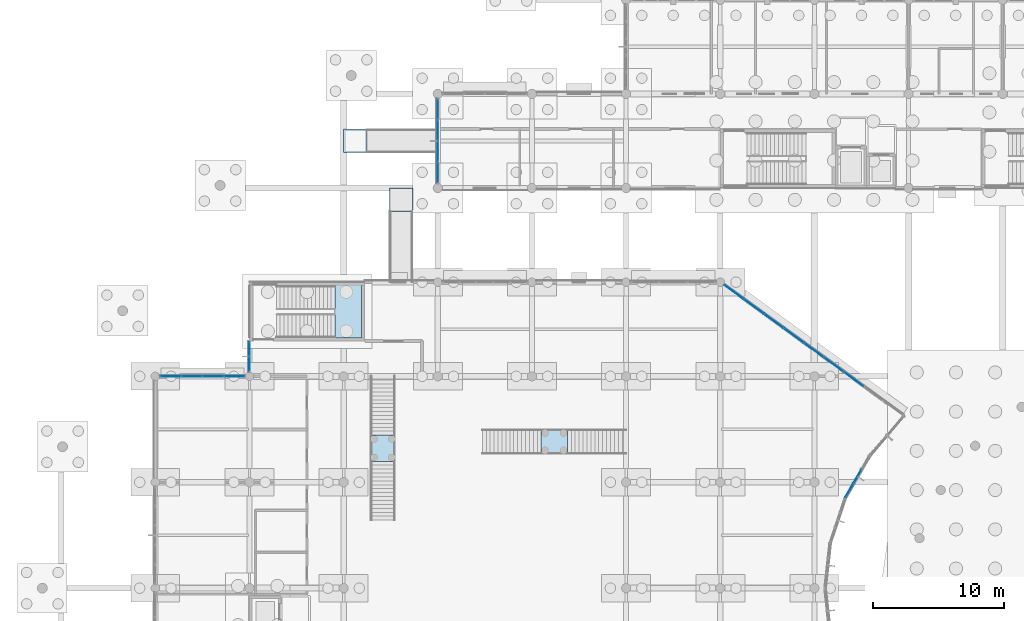
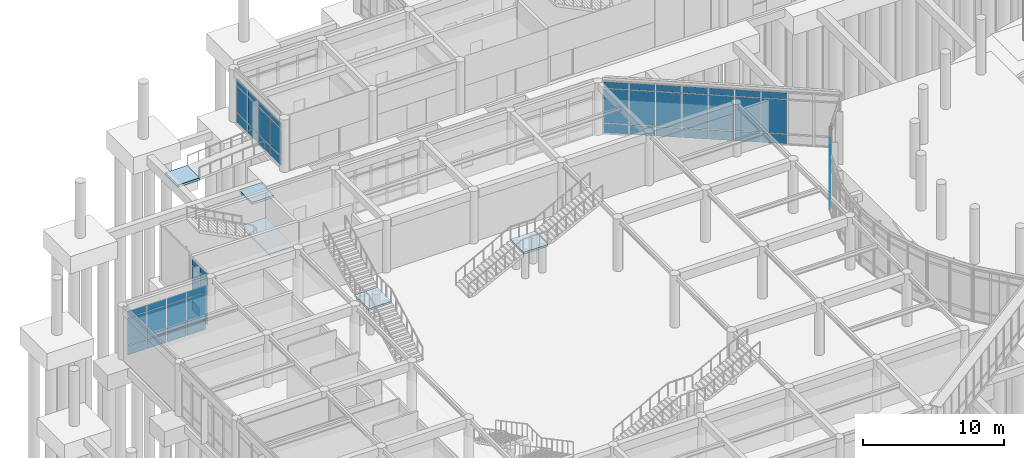
# One storey, part 46 of 103: 57 plates, 5 slabs, 10 elements without a shape of their own.
"""IFC4 building model written with IfcOpenShell, lengths in metres."""

from ifc_helpers import new_model, si_unit, direction, frame, origin, origin_2d, place, context, subcontext, project, spatial, polyline, rectangle, outline, extrude, material, layer, layer_set, type_object, element, aggregate, save


model = new_model("IFC4")

# Units and contexts
model_context = context("Model", 3, precision=1e-05, world=origin(), true_north=direction((0.0, 1.0)))
body_context = subcontext(model_context, "Body", "Model", "MODEL_VIEW")
ifc_project = project(units=[si_unit("LENGTHUNIT", "METRE"), si_unit("AREAUNIT", "SQUARE_METRE"), si_unit("VOLUMEUNIT", "CUBIC_METRE"), si_unit("PLANEANGLEUNIT", "RADIAN"), si_unit("MASSUNIT", "GRAM", prefix="KILO")], contexts=[model_context])

# Site, building, storey
site_placement = place(None, origin())
site = spatial("IfcSite", under=ifc_project, at=site_placement, CompositionType="ELEMENT")
building_placement = place(site_placement, origin())
building = spatial("IfcBuilding", under=site, at=building_placement, Name="Namkhue Oval Health Centre", CompositionType="ELEMENT")
storey_placement = place(building_placement, origin())
storey = spatial("IfcBuildingStorey", under=building, at=storey_placement, Name="L00", CompositionType="ELEMENT", Elevation=0.0)

# Curtain wall, plates
ifc_material_1 = material(Name="Anodised aluminium EN AW-6063 T6", Category="aluminium")
ifc_layer_1 = layer(ifc_material_1, 0.159912109375)
ifc_layer_set_1 = layer_set([ifc_layer_1], Name="Anodised aluminium EN AW-6063 T6")
curtain_wall_type_1 = type_object("IfcCurtainWallType", Name="UNITISED CURTAIN WALL M1500", PredefinedType="NOTDEFINED", material=ifc_layer_set_1)
curtain_wall_1_placement = place(storey_placement, origin())
curtain_wall_1 = element("IfcCurtainWall", 1, at=curtain_wall_1_placement, inside=storey, type_object=curtain_wall_type_1, Name="Volume V1 L00 Unitised Curtain Wall 9", PredefinedType="NOTDEFINED")
ifc_material_2 = material(Name="Thermally broken low-E laminated double glazing", Category="glass")
ifc_layer_2 = layer(ifc_material_2, 0.02587890625)
ifc_layer_set_2 = layer_set([ifc_layer_2], Name="Thermally broken low-E laminated double glazing")
plate_type_1 = type_object("IfcPlateType", Name="CURTAIN WALL GLAZED PANEL 26", PredefinedType="CURTAIN_PANEL", material=ifc_layer_set_2)
plate_1_placement = place(storey_placement, frame((67.46142578125, 66.857421875, 0.06494140625), z_axis=(0.0, 0.0, 1.0), x_axis=(0.501757798896, 0.865008156752, 0.0)))
plate_1 = element("IfcPlate", 2, at=plate_1_placement, type_object=plate_type_1, Name="CW-03 panel 1.1", PredefinedType="CURTAIN_PANEL", context=body_context, shape_type="SweptSolid", body=[
    extrude(rectangle(XDim=1.15869140625, YDim=0.02587890625, at=origin_2d()), origin(), (0.0, 0.0, 1.0), 0.802490234375),
])
plate_2_placement = place(storey_placement, frame((67.46142578125, 66.857421875, 0.9326171875), z_axis=(0.0, 0.0, 1.0), x_axis=(0.501757798896, 0.865008156752, 0.0)))
plate_2 = element("IfcPlate", 3, at=plate_2_placement, type_object=plate_type_1, Name="CW-03 panel 1.2", PredefinedType="CURTAIN_PANEL", context=body_context, shape_type="SweptSolid", body=[
    extrude(rectangle(XDim=1.15869140625, YDim=0.02587890625, at=origin_2d()), origin(), (0.0, 0.0, 1.0), 2.949951171875),
])
plate_3_placement = place(storey_placement, frame((67.46142578125, 66.857421875, 3.947265625), z_axis=(0.0, 0.0, 1.0), x_axis=(0.501757798896, 0.865008156752, 0.0)))
plate_3 = element("IfcPlate", 4, at=plate_3_placement, type_object=plate_type_1, Name="CW-03 panel 1.3", PredefinedType="CURTAIN_PANEL", context=body_context, shape_type="SweptSolid", body=[
    extrude(rectangle(XDim=1.15869140625, YDim=0.02587890625, at=origin_2d()), origin(), (0.0, 0.0, 1.0), 0.552490234375),
])
plate_4_placement = place(storey_placement, frame((68.08349609375, 67.929931640625, 0.06494140625), z_axis=(0.0, 0.0, 1.0), x_axis=(0.501757798896, 0.865008156752, 0.0)))
plate_4 = element("IfcPlate", 5, at=plate_4_placement, type_object=plate_type_1, Name="CW-03 panel 2.1", PredefinedType="CURTAIN_PANEL", context=body_context, shape_type="SweptSolid", body=[
    extrude(rectangle(XDim=1.191162109375, YDim=0.02587890625, at=origin_2d()), origin(), (0.0, 0.0, 1.0), 0.802490234375),
])
plate_5_placement = place(storey_placement, frame((68.08349609375, 67.929931640625, 0.9326171875), z_axis=(0.0, 0.0, 1.0), x_axis=(0.501757798896, 0.865008156752, 0.0)))
plate_5 = element("IfcPlate", 6, at=plate_5_placement, type_object=plate_type_1, Name="CW-03 panel 2.2", PredefinedType="CURTAIN_PANEL", context=body_context, shape_type="SweptSolid", body=[
    extrude(rectangle(XDim=1.191162109375, YDim=0.02587890625, at=origin_2d()), origin(), (0.0, 0.0, 1.0), 2.949951171875),
])
plate_6_placement = place(storey_placement, frame((68.08349609375, 67.929931640625, 3.947265625), z_axis=(0.0, 0.0, 1.0), x_axis=(0.501757798896, 0.865008156752, 0.0)))
plate_6 = element("IfcPlate", 7, at=plate_6_placement, type_object=plate_type_1, Name="CW-03 panel 2.3", PredefinedType="CURTAIN_PANEL", context=body_context, shape_type="SweptSolid", body=[
    extrude(rectangle(XDim=1.191162109375, YDim=0.02587890625, at=origin_2d()), origin(), (0.0, 0.0, 1.0), 0.552490234375),
])
aggregate(curtain_wall_1, [plate_1, plate_2, plate_3, plate_4, plate_5, plate_6])

ifc_layer_3 = layer(ifc_material_1, 0.159912109375)
ifc_layer_set_3 = layer_set([ifc_layer_3], Name="Anodised aluminium EN AW-6063 T6")
curtain_wall_type_2 = type_object("IfcCurtainWallType", Name="UNITISED CURTAIN WALL M1350", PredefinedType="NOTDEFINED", material=ifc_layer_set_3)
curtain_wall_2_placement = place(storey_placement, origin())
curtain_wall_2 = element("IfcCurtainWall", 8, at=curtain_wall_2_placement, inside=storey, type_object=curtain_wall_type_2, Name="Volume V1 L00 Unitised Curtain Wall 14", PredefinedType="NOTDEFINED")
ifc_layer_4 = layer(ifc_material_2, 0.028076171875)
ifc_layer_set_4 = layer_set([ifc_layer_4], Name="Thermally broken low-E laminated double glazing")
plate_type_2 = type_object("IfcPlateType", Name="CURTAIN WALL GLAZED PANEL 28", PredefinedType="CURTAIN_PANEL", material=ifc_layer_set_4)
plate_7_placement = place(storey_placement, frame((21.60009765625, 77.67724609375, 0.074951171875), z_axis=(0.0, 0.0, 1.0), x_axis=(0.0, -1.0, 0.0)))
plate_7 = element("IfcPlate", 9, at=plate_7_placement, type_object=plate_type_2, Name="CW-02 panel 1.1", PredefinedType="CURTAIN_PANEL", context=body_context, shape_type="SweptSolid", body=[
    extrude(rectangle(XDim=1.0615234375, YDim=0.028076171875, at=origin_2d()), origin(), (0.0, 0.0, 1.0), 0.78759765625),
])
plate_8_placement = place(storey_placement, frame((21.60009765625, 77.67724609375, 0.9375), z_axis=(0.0, 0.0, 1.0), x_axis=(0.0, -1.0, 0.0)))
plate_8 = element("IfcPlate", 10, at=plate_8_placement, type_object=plate_type_2, Name="CW-02 panel 1.2", PredefinedType="CURTAIN_PANEL", context=body_context, shape_type="SweptSolid", body=[
    extrude(rectangle(XDim=1.0615234375, YDim=0.028076171875, at=origin_2d()), origin(), (0.0, 0.0, 1.0), 2.93994140625),
])
plate_9_placement = place(storey_placement, frame((21.60009765625, 77.67724609375, 3.952392578125), z_axis=(0.0, 0.0, 1.0), x_axis=(0.0, -1.0, 0.0)))
plate_9 = element("IfcPlate", 11, at=plate_9_placement, type_object=plate_type_2, Name="CW-02 panel 1.3", PredefinedType="CURTAIN_PANEL", context=body_context, shape_type="SweptSolid", body=[
    extrude(rectangle(XDim=1.0615234375, YDim=0.028076171875, at=origin_2d()), origin(), (0.0, 0.0, 1.0), 0.53759765625),
])
plate_10_placement = place(storey_placement, frame((21.60009765625, 76.540771484375, 0.074951171875), z_axis=(0.0, 0.0, 1.0), x_axis=(0.0, -1.0, 0.0)))
plate_10 = element("IfcPlate", 12, at=plate_10_placement, type_object=plate_type_2, Name="CW-02 panel 2.1", PredefinedType="CURTAIN_PANEL", context=body_context, shape_type="SweptSolid", body=[
    extrude(rectangle(XDim=1.0615234375, YDim=0.028076171875, at=origin_2d()), origin(), (0.0, 0.0, 1.0), 0.78759765625),
])
plate_11_placement = place(storey_placement, frame((21.60009765625, 76.540771484375, 0.9375), z_axis=(0.0, 0.0, 1.0), x_axis=(0.0, -1.0, 0.0)))
plate_11 = element("IfcPlate", 13, at=plate_11_placement, type_object=plate_type_2, Name="CW-02 panel 2.2", PredefinedType="CURTAIN_PANEL", context=body_context, shape_type="SweptSolid", body=[
    extrude(rectangle(XDim=1.0615234375, YDim=0.028076171875, at=origin_2d()), origin(), (0.0, 0.0, 1.0), 2.93994140625),
])
plate_12_placement = place(storey_placement, frame((21.60009765625, 76.540771484375, 3.952392578125), z_axis=(0.0, 0.0, 1.0), x_axis=(0.0, -1.0, 0.0)))
plate_12 = element("IfcPlate", 14, at=plate_12_placement, type_object=plate_type_2, Name="CW-02 panel 2.3", PredefinedType="CURTAIN_PANEL", context=body_context, shape_type="SweptSolid", body=[
    extrude(rectangle(XDim=1.0615234375, YDim=0.028076171875, at=origin_2d()), origin(), (0.0, 0.0, 1.0), 0.53759765625),
])
aggregate(curtain_wall_2, [plate_7, plate_8, plate_9, plate_10, plate_11, plate_12])

ifc_layer_5 = layer(ifc_material_1, 0.159912109375)
ifc_layer_set_5 = layer_set([ifc_layer_5], Name="Anodised aluminium EN AW-6063 T6")
curtain_wall_type_3 = type_object("IfcCurtainWallType", Name="UNITISED CURTAIN WALL M1600", PredefinedType="NOTDEFINED", material=ifc_layer_set_5)
curtain_wall_3_placement = place(storey_placement, origin())
curtain_wall_3 = element("IfcCurtainWall", 15, at=curtain_wall_3_placement, inside=storey, type_object=curtain_wall_type_3, Name="Volume V2 L00 Unitised Curtain Wall 46", PredefinedType="NOTDEFINED")
plate_13_placement = place(storey_placement, frame((36.0, 96.01123046875, 0.074951171875), z_axis=(0.0, 0.0, 1.0), x_axis=(0.0, -1.0, 0.0)))
plate_13 = element("IfcPlate", 16, at=plate_13_placement, type_object=plate_type_2, Name="CW-04 panel 1.1", PredefinedType="CURTAIN_PANEL", context=body_context, shape_type="SweptSolid", body=[
    extrude(rectangle(XDim=1.507568359375, YDim=0.028076171875, at=origin_2d()), origin(), (0.0, 0.0, 1.0), 0.78759765625),
])
plate_14_placement = place(storey_placement, frame((36.0, 96.01123046875, 0.9375), z_axis=(0.0, 0.0, 1.0), x_axis=(0.0, -1.0, 0.0)))
plate_14 = element("IfcPlate", 17, at=plate_14_placement, type_object=plate_type_2, Name="CW-04 panel 1.2", PredefinedType="CURTAIN_PANEL", context=body_context, shape_type="SweptSolid", body=[
    extrude(rectangle(XDim=1.507568359375, YDim=0.028076171875, at=origin_2d()), origin(), (0.0, 0.0, 1.0), 2.284912109375),
])
plate_15_placement = place(storey_placement, frame((36.0, 96.01123046875, 3.29736328125), z_axis=(0.0, 0.0, 1.0), x_axis=(0.0, -1.0, 0.0)))
plate_15 = element("IfcPlate", 18, at=plate_15_placement, type_object=plate_type_2, Name="CW-04 panel 1.3", PredefinedType="CURTAIN_PANEL", context=body_context, shape_type="SweptSolid", body=[
    extrude(rectangle(XDim=1.507568359375, YDim=0.028076171875, at=origin_2d()), origin(), (0.0, 0.0, 1.0), 0.53759765625),
])
plate_16_placement = place(storey_placement, frame((36.0, 94.409912109375, 0.074951171875), z_axis=(0.0, 0.0, 1.0), x_axis=(0.0, -1.0, 0.0)))
plate_16 = element("IfcPlate", 19, at=plate_16_placement, type_object=plate_type_2, Name="CW-04 panel 2.1", PredefinedType="CURTAIN_PANEL", context=body_context, shape_type="SweptSolid", body=[
    extrude(rectangle(XDim=1.544921875, YDim=0.028076171875, at=origin_2d()), origin(), (0.0, 0.0, 1.0), 0.78759765625),
])
plate_17_placement = place(storey_placement, frame((36.0, 94.409912109375, 0.9375), z_axis=(0.0, 0.0, 1.0), x_axis=(0.0, -1.0, 0.0)))
plate_17 = element("IfcPlate", 20, at=plate_17_placement, type_object=plate_type_2, Name="CW-04 panel 2.2", PredefinedType="CURTAIN_PANEL", context=body_context, shape_type="SweptSolid", body=[
    extrude(rectangle(XDim=1.544921875, YDim=0.028076171875, at=origin_2d()), origin(), (0.0, 0.0, 1.0), 2.284912109375),
])
plate_18_placement = place(storey_placement, frame((36.0, 94.409912109375, 3.29736328125), z_axis=(0.0, 0.0, 1.0), x_axis=(0.0, -1.0, 0.0)))
plate_18 = element("IfcPlate", 21, at=plate_18_placement, type_object=plate_type_2, Name="CW-04 panel 2.3", PredefinedType="CURTAIN_PANEL", context=body_context, shape_type="SweptSolid", body=[
    extrude(rectangle(XDim=1.544921875, YDim=0.028076171875, at=origin_2d()), origin(), (0.0, 0.0, 1.0), 0.53759765625),
])
plate_19_placement = place(storey_placement, frame((36.0, 92.7900390625, 0.074951171875), z_axis=(0.0, 0.0, 1.0), x_axis=(0.0, -1.0, 0.0)))
plate_19 = element("IfcPlate", 22, at=plate_19_placement, type_object=plate_type_2, Name="CW-04 panel 3.1", PredefinedType="CURTAIN_PANEL", context=body_context, shape_type="SweptSolid", body=[
    extrude(rectangle(XDim=1.544921875, YDim=0.028076171875, at=origin_2d()), origin(), (0.0, 0.0, 1.0), 0.78759765625),
])
plate_20_placement = place(storey_placement, frame((36.0, 92.7900390625, 0.9375), z_axis=(0.0, 0.0, 1.0), x_axis=(0.0, -1.0, 0.0)))
plate_20 = element("IfcPlate", 23, at=plate_20_placement, type_object=plate_type_2, Name="CW-04 panel 3.2", PredefinedType="CURTAIN_PANEL", context=body_context, shape_type="SweptSolid", body=[
    extrude(rectangle(XDim=1.544921875, YDim=0.028076171875, at=origin_2d()), origin(), (0.0, 0.0, 1.0), 2.284912109375),
])
plate_21_placement = place(storey_placement, frame((36.0, 92.7900390625, 3.29736328125), z_axis=(0.0, 0.0, 1.0), x_axis=(0.0, -1.0, 0.0)))
plate_21 = element("IfcPlate", 24, at=plate_21_placement, type_object=plate_type_2, Name="CW-04 panel 3.3", PredefinedType="CURTAIN_PANEL", context=body_context, shape_type="SweptSolid", body=[
    extrude(rectangle(XDim=1.544921875, YDim=0.028076171875, at=origin_2d()), origin(), (0.0, 0.0, 1.0), 0.53759765625),
])
plate_22_placement = place(storey_placement, frame((36.0, 91.188720703125, 0.074951171875), z_axis=(0.0, 0.0, 1.0), x_axis=(0.0, -1.0, 0.0)))
plate_22 = element("IfcPlate", 25, at=plate_22_placement, type_object=plate_type_2, Name="CW-04 panel 4.1", PredefinedType="CURTAIN_PANEL", context=body_context, shape_type="SweptSolid", body=[
    extrude(rectangle(XDim=1.507568359375, YDim=0.028076171875, at=origin_2d()), origin(), (0.0, 0.0, 1.0), 0.78759765625),
])
plate_23_placement = place(storey_placement, frame((36.0, 91.188720703125, 0.9375), z_axis=(0.0, 0.0, 1.0), x_axis=(0.0, -1.0, 0.0)))
plate_23 = element("IfcPlate", 26, at=plate_23_placement, type_object=plate_type_2, Name="CW-04 panel 4.2", PredefinedType="CURTAIN_PANEL", context=body_context, shape_type="SweptSolid", body=[
    extrude(rectangle(XDim=1.507568359375, YDim=0.028076171875, at=origin_2d()), origin(), (0.0, 0.0, 1.0), 2.284912109375),
])
plate_24_placement = place(storey_placement, frame((36.0, 91.188720703125, 3.29736328125), z_axis=(0.0, 0.0, 1.0), x_axis=(0.0, -1.0, 0.0)))
plate_24 = element("IfcPlate", 27, at=plate_24_placement, type_object=plate_type_2, Name="CW-04 panel 4.3", PredefinedType="CURTAIN_PANEL", context=body_context, shape_type="SweptSolid", body=[
    extrude(rectangle(XDim=1.507568359375, YDim=0.028076171875, at=origin_2d()), origin(), (0.0, 0.0, 1.0), 0.53759765625),
])
aggregate(curtain_wall_3, [plate_13, plate_14, plate_15, plate_16, plate_17, plate_18, plate_19, plate_20, plate_21, plate_22, plate_23, plate_24])

ifc_layer_6 = layer(ifc_material_1, 0.159912109375)
ifc_layer_set_6 = layer_set([ifc_layer_6], Name="Anodised aluminium EN AW-6063 T6")
curtain_wall_type_4 = type_object("IfcCurtainWallType", Name="UNITISED CURTAIN WALL M1800", PredefinedType="NOTDEFINED", material=ifc_layer_set_6)
curtain_wall_4_placement = place(storey_placement, origin())
curtain_wall_4 = element("IfcCurtainWall", 28, at=curtain_wall_4_placement, inside=storey, type_object=curtain_wall_type_4, Name="Volume V1 L00 Unitised Curtain Wall 11", PredefinedType="NOTDEFINED")
ifc_material_3 = material(Name="Insulated anodised aluminium spandrel panel", Category="aluminium")
ifc_layer_7 = layer(ifc_material_3, 0.031982421875)
ifc_layer_set_7 = layer_set([ifc_layer_7], Name="Insulated anodised aluminium spandrel panel")
plate_type_3 = type_object("IfcPlateType", Name="CURTAIN WALL SPANDREL PANEL 32", PredefinedType="CURTAIN_PANEL", material=ifc_layer_set_7)
plate_25_placement = place(storey_placement, frame((67.79931640625, 75.37646484375, 0.06494140625), z_axis=(0.0, 0.0, 1.0), x_axis=(-0.808513999682, 0.588476942894, 0.0)))
plate_25 = element("IfcPlate", 29, at=plate_25_placement, type_object=plate_type_3, Name="CW-05 panel 3.1", PredefinedType="CURTAIN_PANEL", context=body_context, shape_type="SweptSolid", body=[
    extrude(rectangle(XDim=1.82421875, YDim=0.031982421875, at=origin_2d()), origin(), (0.0, 0.0, 1.0), 0.802490234375),
])
plate_26_placement = place(storey_placement, frame((67.79931640625, 75.37646484375, 0.9326171875), z_axis=(0.0, 0.0, 1.0), x_axis=(-0.808513999682, 0.588476942894, 0.0)))
plate_26 = element("IfcPlate", 30, at=plate_26_placement, type_object=plate_type_3, Name="CW-05 panel 3.2", PredefinedType="CURTAIN_PANEL", context=body_context, shape_type="SweptSolid", body=[
    extrude(rectangle(XDim=1.82421875, YDim=0.031982421875, at=origin_2d()), origin(), (0.0, 0.0, 1.0), 2.949951171875),
])
plate_27_placement = place(storey_placement, frame((67.79931640625, 75.37646484375, 3.947265625), z_axis=(0.0, 0.0, 1.0), x_axis=(-0.808513999682, 0.588476942894, 0.0)))
plate_27 = element("IfcPlate", 31, at=plate_27_placement, type_object=plate_type_3, Name="CW-05 panel 3.3", PredefinedType="CURTAIN_PANEL", context=body_context, shape_type="SweptSolid", body=[
    extrude(rectangle(XDim=1.82421875, YDim=0.031982421875, at=origin_2d()), origin(), (0.0, 0.0, 1.0), 0.552490234375),
])
plate_28_placement = place(storey_placement, frame((66.27197265625, 76.48828125, 0.06494140625), z_axis=(0.0, 0.0, 1.0), x_axis=(-0.808513999682, 0.588476942894, 0.0)))
plate_28 = element("IfcPlate", 32, at=plate_28_placement, type_object=plate_type_3, Name="CW-05 panel 4.1", PredefinedType="CURTAIN_PANEL", context=body_context, shape_type="SweptSolid", body=[
    extrude(rectangle(XDim=1.82421875, YDim=0.031982421875, at=origin_2d()), origin(), (0.0, 0.0, 1.0), 0.802490234375),
])
plate_29_placement = place(storey_placement, frame((66.27197265625, 76.48828125, 0.9326171875), z_axis=(0.0, 0.0, 1.0), x_axis=(-0.808513999682, 0.588476942894, 0.0)))
plate_29 = element("IfcPlate", 33, at=plate_29_placement, type_object=plate_type_3, Name="CW-05 panel 4.2", PredefinedType="CURTAIN_PANEL", context=body_context, shape_type="SweptSolid", body=[
    extrude(rectangle(XDim=1.82421875, YDim=0.031982421875, at=origin_2d()), origin(), (0.0, 0.0, 1.0), 2.949951171875),
])
plate_30_placement = place(storey_placement, frame((66.27197265625, 76.48828125, 3.947265625), z_axis=(0.0, 0.0, 1.0), x_axis=(-0.808513999682, 0.588476942894, 0.0)))
plate_30 = element("IfcPlate", 34, at=plate_30_placement, type_object=plate_type_3, Name="CW-05 panel 4.3", PredefinedType="CURTAIN_PANEL", context=body_context, shape_type="SweptSolid", body=[
    extrude(rectangle(XDim=1.82421875, YDim=0.031982421875, at=origin_2d()), origin(), (0.0, 0.0, 1.0), 0.552490234375),
])
plate_31_placement = place(storey_placement, frame((64.744384765625, 77.599853515625, 0.06494140625), z_axis=(0.0, 0.0, 1.0), x_axis=(-0.808513999682, 0.588476942894, 0.0)))
plate_31 = element("IfcPlate", 35, at=plate_31_placement, type_object=plate_type_3, Name="CW-05 panel 5.1", PredefinedType="CURTAIN_PANEL", context=body_context, shape_type="SweptSolid", body=[
    extrude(rectangle(XDim=1.82421875, YDim=0.031982421875, at=origin_2d()), origin(), (0.0, 0.0, 1.0), 0.802490234375),
])
plate_32_placement = place(storey_placement, frame((64.744384765625, 77.599853515625, 0.9326171875), z_axis=(0.0, 0.0, 1.0), x_axis=(-0.808513999682, 0.588476942894, 0.0)))
plate_32 = element("IfcPlate", 36, at=plate_32_placement, type_object=plate_type_3, Name="CW-05 panel 5.2", PredefinedType="CURTAIN_PANEL", context=body_context, shape_type="SweptSolid", body=[
    extrude(rectangle(XDim=1.82421875, YDim=0.031982421875, at=origin_2d()), origin(), (0.0, 0.0, 1.0), 2.949951171875),
])
plate_33_placement = place(storey_placement, frame((64.744384765625, 77.599853515625, 3.947265625), z_axis=(0.0, 0.0, 1.0), x_axis=(-0.808513999682, 0.588476942894, 0.0)))
plate_33 = element("IfcPlate", 37, at=plate_33_placement, type_object=plate_type_3, Name="CW-05 panel 5.3", PredefinedType="CURTAIN_PANEL", context=body_context, shape_type="SweptSolid", body=[
    extrude(rectangle(XDim=1.82421875, YDim=0.031982421875, at=origin_2d()), origin(), (0.0, 0.0, 1.0), 0.552490234375),
])
plate_34_placement = place(storey_placement, frame((63.217041015625, 78.711669921875, 0.06494140625), z_axis=(0.0, 0.0, 1.0), x_axis=(-0.808513999682, 0.588476942894, 0.0)))
plate_34 = element("IfcPlate", 38, at=plate_34_placement, type_object=plate_type_3, Name="CW-05 panel 6.1", PredefinedType="CURTAIN_PANEL", context=body_context, shape_type="SweptSolid", body=[
    extrude(rectangle(XDim=1.82421875, YDim=0.031982421875, at=origin_2d()), origin(), (0.0, 0.0, 1.0), 0.802490234375),
])
plate_35_placement = place(storey_placement, frame((63.217041015625, 78.711669921875, 0.9326171875), z_axis=(0.0, 0.0, 1.0), x_axis=(-0.808513999682, 0.588476942894, 0.0)))
plate_35 = element("IfcPlate", 39, at=plate_35_placement, type_object=plate_type_3, Name="CW-05 panel 6.2", PredefinedType="CURTAIN_PANEL", context=body_context, shape_type="SweptSolid", body=[
    extrude(rectangle(XDim=1.82421875, YDim=0.031982421875, at=origin_2d()), origin(), (0.0, 0.0, 1.0), 2.949951171875),
])
plate_36_placement = place(storey_placement, frame((63.217041015625, 78.711669921875, 3.947265625), z_axis=(0.0, 0.0, 1.0), x_axis=(-0.808513999682, 0.588476942894, 0.0)))
plate_36 = element("IfcPlate", 40, at=plate_36_placement, type_object=plate_type_3, Name="CW-05 panel 6.3", PredefinedType="CURTAIN_PANEL", context=body_context, shape_type="SweptSolid", body=[
    extrude(rectangle(XDim=1.82421875, YDim=0.031982421875, at=origin_2d()), origin(), (0.0, 0.0, 1.0), 0.552490234375),
])
plate_37_placement = place(storey_placement, frame((61.689453125, 79.823486328125, 0.06494140625), z_axis=(0.0, 0.0, 1.0), x_axis=(-0.808513999682, 0.588476942894, 0.0)))
plate_37 = element("IfcPlate", 41, at=plate_37_placement, type_object=plate_type_3, Name="CW-05 panel 7.1", PredefinedType="CURTAIN_PANEL", context=body_context, shape_type="SweptSolid", body=[
    extrude(rectangle(XDim=1.82421875, YDim=0.031982421875, at=origin_2d()), origin(), (0.0, 0.0, 1.0), 0.802490234375),
])
plate_38_placement = place(storey_placement, frame((61.689453125, 79.823486328125, 0.9326171875), z_axis=(0.0, 0.0, 1.0), x_axis=(-0.808513999682, 0.588476942894, 0.0)))
plate_38 = element("IfcPlate", 42, at=plate_38_placement, type_object=plate_type_3, Name="CW-05 panel 7.2", PredefinedType="CURTAIN_PANEL", context=body_context, shape_type="SweptSolid", body=[
    extrude(rectangle(XDim=1.82421875, YDim=0.031982421875, at=origin_2d()), origin(), (0.0, 0.0, 1.0), 2.949951171875),
])
plate_39_placement = place(storey_placement, frame((61.689453125, 79.823486328125, 3.947265625), z_axis=(0.0, 0.0, 1.0), x_axis=(-0.808513999682, 0.588476942894, 0.0)))
plate_39 = element("IfcPlate", 43, at=plate_39_placement, type_object=plate_type_3, Name="CW-05 panel 7.3", PredefinedType="CURTAIN_PANEL", context=body_context, shape_type="SweptSolid", body=[
    extrude(rectangle(XDim=1.82421875, YDim=0.031982421875, at=origin_2d()), origin(), (0.0, 0.0, 1.0), 0.552490234375),
])
plate_40_placement = place(storey_placement, frame((60.162109375, 80.935302734375, 0.06494140625), z_axis=(0.0, 0.0, 1.0), x_axis=(-0.808513999682, 0.588476942894, 0.0)))
plate_40 = element("IfcPlate", 44, at=plate_40_placement, type_object=plate_type_3, Name="CW-05 panel 8.1", PredefinedType="CURTAIN_PANEL", context=body_context, shape_type="SweptSolid", body=[
    extrude(rectangle(XDim=1.82421875, YDim=0.031982421875, at=origin_2d()), origin(), (0.0, 0.0, 1.0), 0.802490234375),
])
plate_41_placement = place(storey_placement, frame((60.162109375, 80.935302734375, 0.9326171875), z_axis=(0.0, 0.0, 1.0), x_axis=(-0.808513999682, 0.588476942894, 0.0)))
plate_41 = element("IfcPlate", 45, at=plate_41_placement, type_object=plate_type_3, Name="CW-05 panel 8.2", PredefinedType="CURTAIN_PANEL", context=body_context, shape_type="SweptSolid", body=[
    extrude(rectangle(XDim=1.82421875, YDim=0.031982421875, at=origin_2d()), origin(), (0.0, 0.0, 1.0), 2.949951171875),
])
plate_42_placement = place(storey_placement, frame((60.162109375, 80.935302734375, 3.947265625), z_axis=(0.0, 0.0, 1.0), x_axis=(-0.808513999682, 0.588476942894, 0.0)))
plate_42 = element("IfcPlate", 46, at=plate_42_placement, type_object=plate_type_3, Name="CW-05 panel 8.3", PredefinedType="CURTAIN_PANEL", context=body_context, shape_type="SweptSolid", body=[
    extrude(rectangle(XDim=1.82421875, YDim=0.031982421875, at=origin_2d()), origin(), (0.0, 0.0, 1.0), 0.552490234375),
])
plate_43_placement = place(storey_placement, frame((58.647705078125, 82.037353515625, 0.06494140625), z_axis=(0.0, 0.0, 1.0), x_axis=(-0.808513999682, 0.588476942894, 0.0)))
plate_43 = element("IfcPlate", 47, at=plate_43_placement, type_object=plate_type_3, Name="CW-05 panel 9.1", PredefinedType="CURTAIN_PANEL", context=body_context, shape_type="SweptSolid", body=[
    extrude(rectangle(XDim=1.791748046875, YDim=0.031982421875, at=origin_2d()), origin(), (0.0, 0.0, 1.0), 0.802490234375),
])
plate_44_placement = place(storey_placement, frame((58.647705078125, 82.037353515625, 0.9326171875), z_axis=(0.0, 0.0, 1.0), x_axis=(-0.808513999682, 0.588476942894, 0.0)))
plate_44 = element("IfcPlate", 48, at=plate_44_placement, type_object=plate_type_3, Name="CW-05 panel 9.2", PredefinedType="CURTAIN_PANEL", context=body_context, shape_type="SweptSolid", body=[
    extrude(rectangle(XDim=1.791748046875, YDim=0.031982421875, at=origin_2d()), origin(), (0.0, 0.0, 1.0), 2.949951171875),
])
plate_45_placement = place(storey_placement, frame((58.647705078125, 82.037353515625, 3.947265625), z_axis=(0.0, 0.0, 1.0), x_axis=(-0.808513999682, 0.588476942894, 0.0)))
plate_45 = element("IfcPlate", 49, at=plate_45_placement, type_object=plate_type_3, Name="CW-05 panel 9.3", PredefinedType="CURTAIN_PANEL", context=body_context, shape_type="SweptSolid", body=[
    extrude(rectangle(XDim=1.791748046875, YDim=0.031982421875, at=origin_2d()), origin(), (0.0, 0.0, 1.0), 0.552490234375),
])
aggregate(curtain_wall_4, [plate_25, plate_26, plate_27, plate_28, plate_29, plate_30, plate_31, plate_32, plate_33, plate_34, plate_35, plate_36, plate_37, plate_38, plate_39, plate_40, plate_41, plate_42, plate_43, plate_44, plate_45])

curtain_wall_5_placement = place(storey_placement, origin())
curtain_wall_5 = element("IfcCurtainWall", 50, at=curtain_wall_5_placement, inside=storey, type_object=curtain_wall_type_1, Name="Volume V1 L00 Unitised Curtain Wall 15", PredefinedType="NOTDEFINED")
plate_46_placement = place(storey_placement, frame((20.4326171875, 75.60009765625, 0.06494140625), z_axis=(0.0, 0.0, 1.0), x_axis=(-1.0, 0.0, 0.0)))
plate_46 = element("IfcPlate", 51, at=plate_46_placement, type_object=plate_type_3, Name="CW-03 panel 1.1", PredefinedType="CURTAIN_PANEL", context=body_context, shape_type="SweptSolid", body=[
    extrude(rectangle(XDim=1.534912109375, YDim=0.031982421875, at=origin_2d()), origin(), (0.0, 0.0, 1.0), 0.802490234375),
])
plate_47_placement = place(storey_placement, frame((20.4326171875, 75.60009765625, 0.9326171875), z_axis=(0.0, 0.0, 1.0), x_axis=(-1.0, 0.0, 0.0)))
plate_47 = element("IfcPlate", 52, at=plate_47_placement, type_object=plate_type_3, Name="CW-03 panel 1.2", PredefinedType="CURTAIN_PANEL", context=body_context, shape_type="SweptSolid", body=[
    extrude(rectangle(XDim=1.534912109375, YDim=0.031982421875, at=origin_2d()), origin(), (0.0, 0.0, 1.0), 2.324951171875),
])
plate_48_placement = place(storey_placement, frame((20.4326171875, 75.60009765625, 3.322265625), z_axis=(0.0, 0.0, 1.0), x_axis=(-1.0, 0.0, 0.0)))
plate_48 = element("IfcPlate", 53, at=plate_48_placement, type_object=plate_type_3, Name="CW-03 panel 1.3", PredefinedType="CURTAIN_PANEL", context=body_context, shape_type="SweptSolid", body=[
    extrude(rectangle(XDim=1.534912109375, YDim=0.031982421875, at=origin_2d()), origin(), (0.0, 0.0, 1.0), 0.552490234375),
])
plate_49_placement = place(storey_placement, frame((18.816162109375, 75.60009765625, 0.06494140625), z_axis=(0.0, 0.0, 1.0), x_axis=(-1.0, 0.0, 0.0)))
plate_49 = element("IfcPlate", 54, at=plate_49_placement, type_object=plate_type_3, Name="CW-03 panel 2.1", PredefinedType="CURTAIN_PANEL", context=body_context, shape_type="SweptSolid", body=[
    extrude(rectangle(XDim=1.5673828125, YDim=0.031982421875, at=origin_2d()), origin(), (0.0, 0.0, 1.0), 0.802490234375),
])
plate_50_placement = place(storey_placement, frame((18.816162109375, 75.60009765625, 0.9326171875), z_axis=(0.0, 0.0, 1.0), x_axis=(-1.0, 0.0, 0.0)))
plate_50 = element("IfcPlate", 55, at=plate_50_placement, type_object=plate_type_3, Name="CW-03 panel 2.2", PredefinedType="CURTAIN_PANEL", context=body_context, shape_type="SweptSolid", body=[
    extrude(rectangle(XDim=1.5673828125, YDim=0.031982421875, at=origin_2d()), origin(), (0.0, 0.0, 1.0), 2.324951171875),
])
plate_51_placement = place(storey_placement, frame((18.816162109375, 75.60009765625, 3.322265625), z_axis=(0.0, 0.0, 1.0), x_axis=(-1.0, 0.0, 0.0)))
plate_51 = element("IfcPlate", 56, at=plate_51_placement, type_object=plate_type_3, Name="CW-03 panel 2.3", PredefinedType="CURTAIN_PANEL", context=body_context, shape_type="SweptSolid", body=[
    extrude(rectangle(XDim=1.5673828125, YDim=0.031982421875, at=origin_2d()), origin(), (0.0, 0.0, 1.0), 0.552490234375),
])
plate_52_placement = place(storey_placement, frame((17.183837890625, 75.60009765625, 0.06494140625), z_axis=(0.0, 0.0, 1.0), x_axis=(-1.0, 0.0, 0.0)))
plate_52 = element("IfcPlate", 57, at=plate_52_placement, type_object=plate_type_3, Name="CW-03 panel 3.1", PredefinedType="CURTAIN_PANEL", context=body_context, shape_type="SweptSolid", body=[
    extrude(rectangle(XDim=1.5673828125, YDim=0.031982421875, at=origin_2d()), origin(), (0.0, 0.0, 1.0), 0.802490234375),
])
plate_53_placement = place(storey_placement, frame((17.183837890625, 75.60009765625, 0.9326171875), z_axis=(0.0, 0.0, 1.0), x_axis=(-1.0, 0.0, 0.0)))
plate_53 = element("IfcPlate", 58, at=plate_53_placement, type_object=plate_type_3, Name="CW-03 panel 3.2", PredefinedType="CURTAIN_PANEL", context=body_context, shape_type="SweptSolid", body=[
    extrude(rectangle(XDim=1.5673828125, YDim=0.031982421875, at=origin_2d()), origin(), (0.0, 0.0, 1.0), 2.324951171875),
])
plate_54_placement = place(storey_placement, frame((17.183837890625, 75.60009765625, 3.322265625), z_axis=(0.0, 0.0, 1.0), x_axis=(-1.0, 0.0, 0.0)))
plate_54 = element("IfcPlate", 59, at=plate_54_placement, type_object=plate_type_3, Name="CW-03 panel 3.3", PredefinedType="CURTAIN_PANEL", context=body_context, shape_type="SweptSolid", body=[
    extrude(rectangle(XDim=1.5673828125, YDim=0.031982421875, at=origin_2d()), origin(), (0.0, 0.0, 1.0), 0.552490234375),
])
plate_55_placement = place(storey_placement, frame((15.5673828125, 75.60009765625, 0.06494140625), z_axis=(0.0, 0.0, 1.0), x_axis=(-1.0, 0.0, 0.0)))
plate_55 = element("IfcPlate", 60, at=plate_55_placement, type_object=plate_type_3, Name="CW-03 panel 4.1", PredefinedType="CURTAIN_PANEL", context=body_context, shape_type="SweptSolid", body=[
    extrude(rectangle(XDim=1.534912109375, YDim=0.031982421875, at=origin_2d()), origin(), (0.0, 0.0, 1.0), 0.802490234375),
])
plate_56_placement = place(storey_placement, frame((15.5673828125, 75.60009765625, 0.9326171875), z_axis=(0.0, 0.0, 1.0), x_axis=(-1.0, 0.0, 0.0)))
plate_56 = element("IfcPlate", 61, at=plate_56_placement, type_object=plate_type_3, Name="CW-03 panel 4.2", PredefinedType="CURTAIN_PANEL", context=body_context, shape_type="SweptSolid", body=[
    extrude(rectangle(XDim=1.534912109375, YDim=0.031982421875, at=origin_2d()), origin(), (0.0, 0.0, 1.0), 2.324951171875),
])
plate_57_placement = place(storey_placement, frame((15.5673828125, 75.60009765625, 3.322265625), z_axis=(0.0, 0.0, 1.0), x_axis=(-1.0, 0.0, 0.0)))
plate_57 = element("IfcPlate", 62, at=plate_57_placement, type_object=plate_type_3, Name="CW-03 panel 4.3", PredefinedType="CURTAIN_PANEL", context=body_context, shape_type="SweptSolid", body=[
    extrude(rectangle(XDim=1.534912109375, YDim=0.031982421875, at=origin_2d()), origin(), (0.0, 0.0, 1.0), 0.552490234375),
])
aggregate(curtain_wall_5, [plate_46, plate_47, plate_48, plate_49, plate_50, plate_51, plate_52, plate_53, plate_54, plate_55, plate_56, plate_57])

# Ramp, slab
ifc_material_4 = material(Name="Reinforced concrete C30/37 (TCVN B35)", Category="concrete")
ramp_type = type_object("IfcRampType", Name="ACCESSIBLE ENTRANCE RAMP", PredefinedType="STRAIGHT_RUN_RAMP", material=ifc_material_4)
ramp_1_placement = place(storey_placement, origin())
ramp_1 = element("IfcRamp", 63, at=ramp_1_placement, inside=storey, type_object=ramp_type, Name="Health Cafe North Forecourt Ramp", PredefinedType="STRAIGHT_RUN_RAMP")
ifc_layer_8 = layer(ifc_material_4, 0.199951171875)
ifc_layer_set_8 = layer_set([ifc_layer_8], Name="Reinforced concrete C30/37 (TCVN B35)")
slab_type_1 = type_object("IfcSlabType", Name="RAMP LANDING SLAB 200", PredefinedType="LANDING", material=ifc_layer_set_8)
slab_1_placement = place(storey_placement, frame((0.0, 0.0, -0.64990234375)))
slab_1 = element("IfcSlab", 64, at=slab_1_placement, type_object=slab_type_1, Name="Health Cafe North Forecourt Ramp Bottom Landing", PredefinedType="LANDING", context=body_context, shape_type="SweptSolid", body=[
    extrude(outline(polyline([(32.300048828125, 90.0), (32.300048828125, 88.199951171875), (34.10009765625, 88.199951171875), (34.10009765625, 90.0), (32.300048828125, 90.0)])), origin(), (0.0, 0.0, 1.0), 0.199951171875),
])
aggregate(ramp_1, [slab_1])

ramp_2_placement = place(storey_placement, origin())
ramp_2 = element("IfcRamp", 65, at=ramp_2_placement, inside=storey, type_object=ramp_type, Name="North GP Clinic West Arrival Ramp", PredefinedType="STRAIGHT_RUN_RAMP")
slab_2_placement = place(storey_placement, frame((0.0, 0.0, -0.64990234375)))
slab_2 = element("IfcSlab", 66, at=slab_2_placement, type_object=slab_type_1, Name="North GP Clinic West Arrival Ramp Bottom Landing", PredefinedType="LANDING", context=body_context, shape_type="SweptSolid", body=[
    extrude(outline(polyline([(28.800048828125, 92.699951171875), (30.60009765625, 92.699951171875), (30.60009765625, 94.5), (28.800048828125, 94.5), (28.800048828125, 92.699951171875)])), origin(), (0.0, 0.0, 1.0), 0.199951171875),
])
aggregate(ramp_2, [slab_2])

# Stair, slab
stair_type_1 = type_object("IfcStairType", Name="DOGLEG EXIT STAIR H4800", PredefinedType="HALF_TURN_STAIR", material=ifc_material_4)
stair_1_placement = place(storey_placement, origin())
stair_1 = element("IfcStair", 67, at=stair_1_placement, inside=storey, type_object=stair_type_1, Name="Protected Exit Stair ST-02 L00", PredefinedType="HALF_TURN_STAIR")
ifc_layer_9 = layer(ifc_material_4, 0.179931640625)
ifc_layer_set_9 = layer_set([ifc_layer_9], Name="Reinforced concrete C30/37 (TCVN B35)")
slab_type_2 = type_object("IfcSlabType", Name="STAIR LANDING SLAB 180", PredefinedType="LANDING", material=ifc_layer_set_9)
slab_3_placement = place(storey_placement, frame((0.0, 0.0, 2.219970703125)))
slab_3 = element("IfcSlab", 68, at=slab_3_placement, type_object=slab_type_2, Name="ST-02 landing 1", PredefinedType="LANDING", context=body_context, shape_type="SweptSolid", body=[
    extrude(outline(polyline([(28.14501953125, 78.52490234375), (30.175048828125, 78.52490234375), (30.175048828125, 82.574951171875), (28.14501953125, 82.574951171875), (28.14501953125, 78.52490234375)])), origin(), (0.0, 0.0, 1.0), 0.179931640625),
])
aggregate(stair_1, [slab_3])

stair_type_2 = type_object("IfcStairType", Name="STRAIGHT FEATURE STAIR H4800", PredefinedType="STRAIGHT_RUN_STAIR", material=ifc_material_4)
stair_2_placement = place(storey_placement, origin())
stair_2 = element("IfcStair", 69, at=stair_2_placement, inside=storey, type_object=stair_type_2, Name="Waiting Hall North Straight Feature Stair", PredefinedType="STRAIGHT_RUN_STAIR")
slab_4_placement = place(storey_placement, frame((0.0, 0.0, 2.219970703125)))
slab_4 = element("IfcSlab", 70, at=slab_4_placement, type_object=slab_type_2, Name="ST-F02 landing 1", PredefinedType="LANDING", context=body_context, shape_type="SweptSolid", body=[
    extrude(outline(polyline([(43.89990234375, 69.64990234375), (45.909912109375, 69.64990234375), (45.909912109375, 71.550048828125), (43.89990234375, 71.550048828125), (43.89990234375, 69.64990234375)])), origin(), (0.0, 0.0, 1.0), 0.179931640625),
])
aggregate(stair_2, [slab_4])

stair_3_placement = place(storey_placement, origin())
stair_3 = element("IfcStair", 71, at=stair_3_placement, inside=storey, type_object=stair_type_2, Name="Waiting Hall North Gallery Feature Stair", PredefinedType="STRAIGHT_RUN_STAIR")
slab_5_placement = place(storey_placement, frame((0.0, 0.0, 2.219970703125)))
slab_5 = element("IfcSlab", 72, at=slab_5_placement, type_object=slab_type_2, Name="ST-F03 landing 1", PredefinedType="LANDING", context=body_context, shape_type="SweptSolid", body=[
    extrude(outline(polyline([(32.75, 69.10009765625), (32.75, 71.110107421875), (30.85009765625, 71.110107421875), (30.85009765625, 69.10009765625), (32.75, 69.10009765625)])), origin(), (0.0, 0.0, 1.0), 0.179931640625),
])
aggregate(stair_3, [slab_5])

save(model, "model.ifc")
